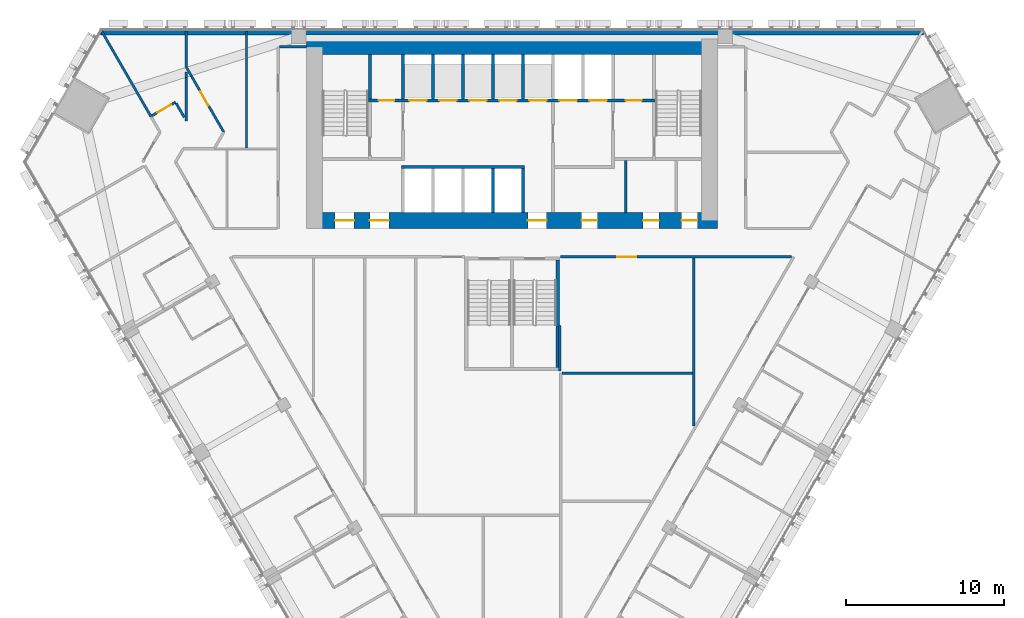
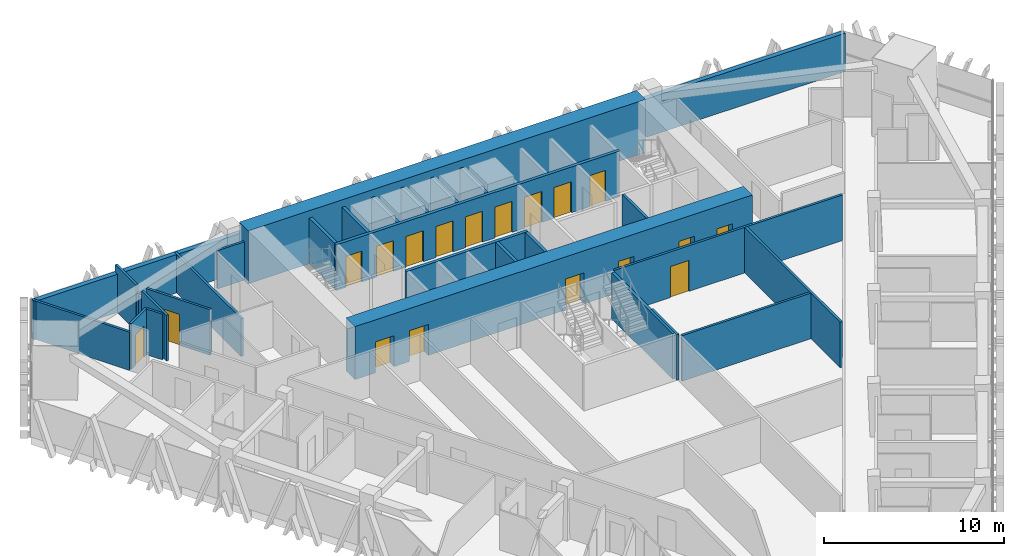
# One storey, part 13 of 18: 29 walls, 18 doors, 18 openings.
"""IFC4 building model written with IfcOpenShell, lengths in metres."""

from ifc_helpers import new_model, si_unit, direction, frame, frame_2d, origin, place, context, subcontext, project, spatial, rectangle, extrude, material, layer, layer_set, type_object, element, fill, save


model = new_model("IFC4")

# Units and contexts
model_context = context("Model", 3, precision=1e-05, world=origin(), true_north=direction((0.0, 1.0)))
body_context = subcontext(model_context, "Body", "Model", "MODEL_VIEW")
ifc_project = project(units=[si_unit("LENGTHUNIT", "METRE"), si_unit("AREAUNIT", "SQUARE_METRE"), si_unit("VOLUMEUNIT", "CUBIC_METRE"), si_unit("PLANEANGLEUNIT", "RADIAN"), si_unit("MASSUNIT", "GRAM", prefix="KILO")], contexts=[model_context])

# Site, building, storey
site_placement = place(None, origin())
site = spatial("IfcSite", under=ifc_project, at=site_placement, CompositionType="ELEMENT")
building_placement = place(site_placement, origin())
building = spatial("IfcBuilding", under=site, at=building_placement, Name="Altiplano Prism Tower", CompositionType="ELEMENT")
storey_placement = place(building_placement, frame((0.0, 0.0, 41.39990234375)))
storey = spatial("IfcBuildingStorey", under=building, at=storey_placement, Name="L09", CompositionType="ELEMENT", Elevation=41.39990234375)

# Wall, openings, doors
ifc_material_1 = material(Name="Concrete C70/85", Category="concrete")
ifc_layer_1 = layer(ifc_material_1, 1.0)
ifc_layer_set_1 = layer_set([ifc_layer_1], Name="Concrete C70/85")
wall_type_1 = type_object("IfcWallType", Name="Core wall 1000", PredefinedType="SHEAR", material=ifc_layer_set_1)
wall_1_placement = place(storey_placement, frame((72.5, 92.89990234375, 0.0), z_axis=(0.0, 0.0, 1.0), x_axis=(1.0, 0.0, 0.0)))
wall_1 = element("IfcWall", 1, at=wall_1_placement, inside=storey, type_object=wall_type_1, Name="Core wall S L09", PredefinedType="SHEAR", context=body_context, shape_type="SweptSolid", body=[
    extrude(rectangle(XDim=25.5, YDim=1.0, at=frame_2d((12.75, 0.0))), origin(), (0.0, 0.0, 1.0), 3.60009765625),
])
opening_1_placement = place(wall_1_placement, frame((1.300048828125, 0.0, 0.0)))
opening_1 = element("IfcOpeningElement", 2, at=opening_1_placement, cuts=wall_1, Name="Opening D2712", PredefinedType="OPENING", context=body_context, shape_type="SweptSolid", body=[
    extrude(rectangle(XDim=1.199951171875, YDim=2.10009765625, at=frame_2d((0.60009765625, 1.050048828125))), frame((0.0, 0.510498046875, 0.0), z_axis=(0.0, -1.0, 0.0), x_axis=(1.0, 0.0, 0.0)), (0.0, 0.0, 1.0), 1.02099609375),
])
opening_2_placement = place(wall_1_placement, frame((3.5, 0.0, 0.0)))
opening_2 = element("IfcOpeningElement", 3, at=opening_2_placement, cuts=wall_1, Name="Opening D2713", PredefinedType="OPENING", context=body_context, shape_type="SweptSolid", body=[
    extrude(rectangle(XDim=1.199951171875, YDim=2.10009765625, at=frame_2d((0.60009765625, 1.050048828125))), frame((0.0, 0.510498046875, 0.0), z_axis=(0.0, -1.0, 0.0), x_axis=(1.0, 0.0, 0.0)), (0.0, 0.0, 1.0), 1.02099609375),
])
opening_3_placement = place(wall_1_placement, frame((13.5, 0.0, 0.0)))
opening_3 = element("IfcOpeningElement", 4, at=opening_3_placement, cuts=wall_1, Name="Opening D2714", PredefinedType="OPENING", context=body_context, shape_type="SweptSolid", body=[
    extrude(rectangle(XDim=1.199951171875, YDim=2.10009765625, at=frame_2d((0.60009765625, 1.050048828125))), frame((0.0, 0.510498046875, 0.0), z_axis=(0.0, -1.0, 0.0), x_axis=(1.0, 0.0, 0.0)), (0.0, 0.0, 1.0), 1.02099609375),
])
opening_4_placement = place(wall_1_placement, frame((16.91259765625, 0.0, 0.0)))
opening_4 = element("IfcOpeningElement", 5, at=opening_4_placement, cuts=wall_1, Name="Opening D2717", PredefinedType="OPENING", context=body_context, shape_type="SweptSolid", body=[
    extrude(rectangle(XDim=1.0, YDim=2.10009765625, at=frame_2d((0.5, 1.050048828125))), frame((0.0, 0.510498046875, 0.0), z_axis=(0.0, -1.0, 0.0), x_axis=(1.0, 0.0, 0.0)), (0.0, 0.0, 1.0), 1.02099609375),
])
opening_5_placement = place(wall_1_placement, frame((20.800048828125, 0.0, 0.0)))
opening_5 = element("IfcOpeningElement", 6, at=opening_5_placement, cuts=wall_1, Name="Opening D2718", PredefinedType="OPENING", context=body_context, shape_type="SweptSolid", body=[
    extrude(rectangle(XDim=1.0, YDim=2.10009765625, at=frame_2d((0.5, 1.050048828125))), frame((0.0, 0.510498046875, 0.0), z_axis=(0.0, -1.0, 0.0), x_axis=(1.0, 0.0, 0.0)), (0.0, 0.0, 1.0), 1.02099609375),
])
opening_6_placement = place(wall_1_placement, frame((23.237548828125, 0.0, 0.0)))
opening_6 = element("IfcOpeningElement", 7, at=opening_6_placement, cuts=wall_1, Name="Opening D2719", PredefinedType="OPENING", context=body_context, shape_type="SweptSolid", body=[
    extrude(rectangle(XDim=1.0, YDim=2.10009765625, at=frame_2d((0.5, 1.050048828125))), frame((0.0, 0.510498046875, 0.0), z_axis=(0.0, -1.0, 0.0), x_axis=(1.0, 0.0, 0.0)), (0.0, 0.0, 1.0), 1.02099609375),
])
ifc_material_2 = material(Name="Fire-rated steel door", Category="steel")
door_type_1 = type_object("IfcDoorType", Name="Core room door 1000 x 2100", OperationType="NOTDEFINED", PredefinedType="NOTDEFINED", material=ifc_material_2)
door_1_placement = place(opening_4_placement, origin())
door_1 = element("IfcDoor", 8, at=door_1_placement, inside=storey, type_object=door_type_1, Name="Core room door D2717", OperationType="SINGLE_SWING_RIGHT", OverallHeight=2.10009765625, OverallWidth=1.0, PredefinedType="NOTDEFINED", context=body_context, shape_type="SweptSolid", body=[
    extrude(rectangle(XDim=1.0, YDim=2.10009765625, at=frame_2d((0.5, 1.050048828125))), frame((0.0, 0.02490234375, 0.0), z_axis=(0.0, -1.0, 0.0), x_axis=(1.0, 0.0, 0.0)), (0.0, 0.0, 1.0), 0.050048828125),
])
fill(opening_4, door_1)
door_2_placement = place(opening_5_placement, origin())
door_2 = element("IfcDoor", 9, at=door_2_placement, inside=storey, type_object=door_type_1, Name="Core room door D2718", OperationType="SINGLE_SWING_LEFT", OverallHeight=2.10009765625, OverallWidth=1.0, PredefinedType="NOTDEFINED", context=body_context, shape_type="SweptSolid", body=[
    extrude(rectangle(XDim=1.0, YDim=2.10009765625, at=frame_2d((0.5, 1.050048828125))), frame((0.0, 0.02490234375, 0.0), z_axis=(0.0, -1.0, 0.0), x_axis=(1.0, 0.0, 0.0)), (0.0, 0.0, 1.0), 0.050048828125),
])
fill(opening_5, door_2)
door_3_placement = place(opening_6_placement, origin())
door_3 = element("IfcDoor", 10, at=door_3_placement, inside=storey, type_object=door_type_1, Name="Core room door D2719", OperationType="SINGLE_SWING_RIGHT", OverallHeight=2.10009765625, OverallWidth=1.0, PredefinedType="NOTDEFINED", context=body_context, shape_type="SweptSolid", body=[
    extrude(rectangle(XDim=1.0, YDim=2.10009765625, at=frame_2d((0.5, 1.050048828125))), frame((0.0, 0.02490234375, 0.0), z_axis=(0.0, -1.0, 0.0), x_axis=(1.0, 0.0, 0.0)), (0.0, 0.0, 1.0), 0.050048828125),
])
fill(opening_6, door_3)
door_type_2 = type_object("IfcDoorType", Name="Lobby fire door 1200 x 2100", OperationType="NOTDEFINED", PredefinedType="NOTDEFINED", material=ifc_material_2)
door_4_placement = place(opening_1_placement, origin())
door_4 = element("IfcDoor", 11, at=door_4_placement, inside=storey, type_object=door_type_2, Name="Lobby fire door D2712", OperationType="SINGLE_SWING_RIGHT", OverallHeight=2.10009765625, OverallWidth=1.199951171875, PredefinedType="NOTDEFINED", context=body_context, shape_type="SweptSolid", body=[
    extrude(rectangle(XDim=1.199951171875, YDim=2.10009765625, at=frame_2d((0.60009765625, 1.050048828125))), frame((0.0, 0.02490234375, 0.0), z_axis=(0.0, -1.0, 0.0), x_axis=(1.0, 0.0, 0.0)), (0.0, 0.0, 1.0), 0.050048828125),
])
fill(opening_1, door_4)
door_5_placement = place(opening_2_placement, origin())
door_5 = element("IfcDoor", 12, at=door_5_placement, inside=storey, type_object=door_type_2, Name="Lobby fire door D2713", OperationType="SINGLE_SWING_LEFT", OverallHeight=2.10009765625, OverallWidth=1.199951171875, PredefinedType="NOTDEFINED", context=body_context, shape_type="SweptSolid", body=[
    extrude(rectangle(XDim=1.199951171875, YDim=2.10009765625, at=frame_2d((0.60009765625, 1.050048828125))), frame((0.0, 0.02490234375, 0.0), z_axis=(0.0, -1.0, 0.0), x_axis=(1.0, 0.0, 0.0)), (0.0, 0.0, 1.0), 0.050048828125),
])
fill(opening_2, door_5)
door_6_placement = place(opening_3_placement, origin())
door_6 = element("IfcDoor", 13, at=door_6_placement, inside=storey, type_object=door_type_2, Name="Lobby fire door D2714", OperationType="SINGLE_SWING_RIGHT", OverallHeight=2.10009765625, OverallWidth=1.199951171875, PredefinedType="NOTDEFINED", context=body_context, shape_type="SweptSolid", body=[
    extrude(rectangle(XDim=1.199951171875, YDim=2.10009765625, at=frame_2d((0.60009765625, 1.050048828125))), frame((0.0, 0.02490234375, 0.0), z_axis=(0.0, -1.0, 0.0), x_axis=(1.0, 0.0, 0.0)), (0.0, 0.0, 1.0), 0.050048828125),
])
fill(opening_3, door_6)

# Walls
wall_2_placement = place(storey_placement, frame((97.5, 103.89990234375, 0.0), z_axis=(0.0, 0.0, 1.0), x_axis=(-1.0, 0.0, 0.0)))
element("IfcWall", 14, at=wall_2_placement, inside=storey, type_object=wall_type_1, Name="Core wall N L09", PredefinedType="SHEAR", context=body_context, shape_type="SweptSolid", body=[
    extrude(rectangle(XDim=25.5, YDim=1.0, at=frame_2d((12.75, 0.0))), origin(), (0.0, 0.0, 1.0), 3.60009765625),
])
ifc_material_3 = material(Name="Plasterboard on steel stud", Category="steel")
ifc_layer_2 = layer(ifc_material_3, 0.14990234375)
ifc_layer_set_2 = layer_set([ifc_layer_2], Name="Plasterboard on steel stud")
wall_type_2 = type_object("IfcWallType", Name="Partition 150 corridor", PredefinedType="PARTITIONING", material=ifc_layer_set_2)
wall_3_placement = place(storey_placement, frame((72.0, 103.89990234375, 0.0), z_axis=(0.0, 0.0, 1.0), x_axis=(-1.0, 0.0, 0.0)))
element("IfcWall", 15, at=wall_3_placement, inside=storey, type_object=wall_type_2, Name="Partition P06 L09 005", PredefinedType="PARTITIONING", context=body_context, shape_type="SweptSolid", body=[
    extrude(rectangle(XDim=1.72509765625, YDim=0.14990234375, at=frame_2d((0.862548828125, 0.0))), origin(), (0.0, 0.0, 1.0), 2.60009765625),
])
wall_4_placement = place(storey_placement, frame((64.38623046875, 102.320068359375, 0.0), z_axis=(0.0, 0.0, 1.0), x_axis=(0.0, -1.0, 0.0)))
element("IfcWall", 16, at=wall_4_placement, inside=storey, type_object=wall_type_2, Name="Partition P06 L09 007", PredefinedType="PARTITIONING", context=body_context, shape_type="SweptSolid", body=[
    extrude(rectangle(XDim=0.36572265625, YDim=0.14990234375, at=frame_2d((0.182861328125, 0.0))), origin(), (0.0, 0.0, 1.0), 2.60009765625),
])
wall_5_placement = place(storey_placement, frame((64.38623046875, 101.954345703125, 0.0), z_axis=(0.0, 0.0, 1.0), x_axis=(0.0, -1.0, 0.0)))
element("IfcWall", 17, at=wall_5_placement, inside=storey, type_object=wall_type_2, Name="Partition P06 L09 008", PredefinedType="PARTITIONING", context=body_context, shape_type="SweptSolid", body=[
    extrude(rectangle(XDim=2.75439453125, YDim=0.14990234375, at=frame_2d((1.377197265625, 0.0))), origin(), (0.0, 0.0, 1.0), 3.10009765625),
])
wall_6_placement = place(storey_placement, frame((64.24609375, 99.4423828125, 0.0), z_axis=(0.0, 0.0, 1.0), x_axis=(-0.500036847806, 0.866004128649, 0.0)))
element("IfcWall", 18, at=wall_6_placement, inside=storey, type_object=wall_type_2, Name="Partition P06 L09 009", PredefinedType="PARTITIONING", context=body_context, shape_type="SweptSolid", body=[
    extrude(rectangle(XDim=1.03076171875, YDim=0.14990234375, at=frame_2d((0.515380859375, 0.0))), origin(), (0.0, 0.0, 1.0), 3.10009765625),
])

# Wall, opening, door
wall_7_placement = place(storey_placement, frame((63.693359375, 100.39990234375, 0.0), z_axis=(0.0, 0.0, 1.0), x_axis=(-0.866074815912, -0.499914405916, 0.0)))
wall_7 = element("IfcWall", 19, at=wall_7_placement, inside=storey, type_object=wall_type_2, Name="Partition P06 L09 010", PredefinedType="PARTITIONING", context=body_context, shape_type="SweptSolid", body=[
    extrude(rectangle(XDim=1.724853515625, YDim=0.14990234375, at=frame_2d((0.8623046875, 0.0))), origin(), (0.0, 0.0, 1.0), 3.10009765625),
])
opening_7_placement = place(wall_7_placement, frame((0.31689453125, 0.0, 0.0)))
opening_7 = element("IfcOpeningElement", 20, at=opening_7_placement, cuts=wall_7, Name="Opening D0326", PredefinedType="OPENING", context=body_context, shape_type="SweptSolid", body=[
    extrude(rectangle(XDim=1.0, YDim=2.10009765625, at=frame_2d((0.5, 1.050048828125))), frame((0.0, 0.08544921875, 0.0), z_axis=(0.0, -1.0, 0.0), x_axis=(1.0, 0.0, 0.0)), (0.0, 0.0, 1.0), 0.1708984375),
])
ifc_material_4 = material(Name="Timber", Category="wood")
door_type_3 = type_object("IfcDoorType", Name="Store door 1000 x 2100", OperationType="NOTDEFINED", PredefinedType="NOTDEFINED", material=ifc_material_4)
door_7_placement = place(opening_7_placement, origin())
door_7 = element("IfcDoor", 21, at=door_7_placement, inside=storey, type_object=door_type_3, Name="Door D0326", OperationType="SINGLE_SWING_LEFT", OverallHeight=2.10009765625, OverallWidth=1.0, PredefinedType="NOTDEFINED", context=body_context, shape_type="SweptSolid", body=[
    extrude(rectangle(XDim=1.0, YDim=2.10009765625, at=frame_2d((0.5, 1.050048828125))), frame((0.0, 0.02490234375, 0.0), z_axis=(0.0, -1.0, 0.0), x_axis=(1.0, 0.0, 0.0)), (0.0, 0.0, 1.0), 0.050048828125),
])
fill(opening_7, door_7)

wall_8_placement = place(storey_placement, frame((88.078857421875, 90.60009765625, 0.0), z_axis=(0.0, 0.0, 1.0), x_axis=(1.0, 0.0, 0.0)))
wall_8 = element("IfcWall", 22, at=wall_8_placement, inside=storey, type_object=wall_type_2, Name="Partition P06 L09 041", PredefinedType="PARTITIONING", context=body_context, shape_type="SweptSolid", body=[
    extrude(rectangle(XDim=14.62646484375, YDim=0.14990234375, at=frame_2d((7.313232421875, 0.0))), origin(), (0.0, 0.0, 1.0), 3.10009765625),
])
opening_8_placement = place(wall_8_placement, frame((3.5810546875, 0.0, 0.0)))
opening_8 = element("IfcOpeningElement", 23, at=opening_8_placement, cuts=wall_8, Name="Opening D0362", PredefinedType="OPENING", context=body_context, shape_type="SweptSolid", body=[
    extrude(rectangle(XDim=1.199951171875, YDim=2.10009765625, at=frame_2d((0.60009765625, 1.050048828125))), frame((0.0, 0.08544921875, 0.0), z_axis=(0.0, -1.0, 0.0), x_axis=(1.0, 0.0, 0.0)), (0.0, 0.0, 1.0), 0.1708984375),
])
door_type_4 = type_object("IfcDoorType", Name="Shared room door 1200 x 2100", OperationType="NOTDEFINED", PredefinedType="NOTDEFINED", material=ifc_material_4)
door_8_placement = place(opening_8_placement, origin())
door_8 = element("IfcDoor", 24, at=door_8_placement, inside=storey, type_object=door_type_4, Name="Door D0362", OperationType="SINGLE_SWING_LEFT", OverallHeight=2.10009765625, OverallWidth=1.199951171875, PredefinedType="NOTDEFINED", context=body_context, shape_type="SweptSolid", body=[
    extrude(rectangle(XDim=1.199951171875, YDim=2.10009765625, at=frame_2d((0.60009765625, 1.050048828125))), frame((0.0, 0.02490234375, 0.0), z_axis=(0.0, -1.0, 0.0), x_axis=(1.0, 0.0, 0.0)), (0.0, 0.0, 1.0), 0.050048828125),
])
fill(opening_8, door_8)

wall_9_placement = place(storey_placement, frame((66.753173828125, 98.5, 0.0), z_axis=(0.0, 0.0, 1.0), x_axis=(-0.500015945769, 0.866016197294, 0.0)))
wall_9 = element("IfcWall", 25, at=wall_9_placement, inside=storey, type_object=wall_type_2, Name="Partition P06 L09 045", PredefinedType="PARTITIONING", context=body_context, shape_type="SweptSolid", body=[
    extrude(rectangle(XDim=4.104248046875, YDim=0.14990234375, at=frame_2d((2.05224609375, 0.0))), origin(), (0.0, 0.0, 1.0), 3.10009765625),
])
opening_9_placement = place(wall_9_placement, frame((1.9609375, 0.0, 0.0)))
opening_9 = element("IfcOpeningElement", 26, at=opening_9_placement, cuts=wall_9, Name="Opening D0369", PredefinedType="OPENING", context=body_context, shape_type="SweptSolid", body=[
    extrude(rectangle(XDim=1.0, YDim=2.10009765625, at=frame_2d((0.5, 1.050048828125))), frame((0.0, 0.08544921875, 0.0), z_axis=(0.0, -1.0, 0.0), x_axis=(1.0, 0.0, 0.0)), (0.0, 0.0, 1.0), 0.1708984375),
])
door_type_5 = type_object("IfcDoorType", Name="Room door 1000 x 2100", OperationType="NOTDEFINED", PredefinedType="NOTDEFINED", material=ifc_material_4)
door_9_placement = place(opening_9_placement, origin())
door_9 = element("IfcDoor", 27, at=door_9_placement, inside=storey, type_object=door_type_5, Name="Door D0369", OperationType="SINGLE_SWING_LEFT", OverallHeight=2.10009765625, OverallWidth=1.0, PredefinedType="NOTDEFINED", context=body_context, shape_type="SweptSolid", body=[
    extrude(rectangle(XDim=1.0, YDim=2.10009765625, at=frame_2d((0.5, 1.050048828125))), frame((0.0, 0.02490234375, 0.0), z_axis=(0.0, -1.0, 0.0), x_axis=(1.0, 0.0, 0.0)), (0.0, 0.0, 1.0), 0.050048828125),
])
fill(opening_9, door_9)

# Walls
wall_10_placement = place(storey_placement, frame((64.700927734375, 102.054443359375, 0.0), z_axis=(0.0, 0.0, 1.0), x_axis=(-0.49976720595, 0.866159765781, 0.0)))
element("IfcWall", 28, at=wall_10_placement, inside=storey, type_object=wall_type_2, Name="Partition P06 L09 046", PredefinedType="PARTITIONING", context=body_context, shape_type="SweptSolid", body=[
    extrude(rectangle(XDim=0.629638671875, YDim=0.14990234375, at=frame_2d((0.31494140625, 0.0))), origin(), (0.0, 0.0, 1.0), 2.60009765625),
])
ifc_layer_3 = layer(ifc_material_3, 0.14990234375)
ifc_layer_set_3 = layer_set([ifc_layer_3], Name="Plasterboard on steel stud")
wall_type_3 = type_object("IfcWallType", Name="Partition 150 party", PredefinedType="PARTITIONING", material=ifc_layer_set_3)
wall_11_placement = place(storey_placement, frame((68.193115234375, 104.89990234375, 0.0), z_axis=(0.0, 0.0, 1.0), x_axis=(0.0, -1.0, 0.0)))
element("IfcWall", 29, at=wall_11_placement, inside=storey, type_object=wall_type_3, Name="Partition P01 L09 052", PredefinedType="PARTITIONING", context=body_context, shape_type="SweptSolid", body=[
    extrude(rectangle(XDim=7.411376953125, YDim=0.14990234375, at=frame_2d((3.70556640625, 0.0))), origin(), (0.0, 0.0, 1.0), 2.60009765625),
])
wall_12_placement = place(storey_placement, frame((59.0166015625, 104.89990234375, 0.0), z_axis=(0.0, 0.0, 1.0), x_axis=(0.500005118993, -0.866022448312, 0.0)))
element("IfcWall", 30, at=wall_12_placement, inside=storey, type_object=wall_type_3, Name="Partition P01 L09 053", PredefinedType="PARTITIONING", context=body_context, shape_type="SweptSolid", body=[
    extrude(rectangle(XDim=6.25537109375, YDim=0.14990234375, at=frame_2d((3.127685546875, 0.0))), origin(), (0.0, 0.0, 1.0), 2.60009765625),
])
wall_13_placement = place(storey_placement, frame((64.38623046875, 102.599853515625, 0.0), z_axis=(0.0, 0.0, 1.0), x_axis=(0.0, 1.0, 0.0)))
element("IfcWall", 31, at=wall_13_placement, inside=storey, type_object=wall_type_3, Name="Partition P01 L09 054", PredefinedType="PARTITIONING", context=body_context, shape_type="SweptSolid", body=[
    extrude(rectangle(XDim=2.300048828125, YDim=0.14990234375, at=frame_2d((1.14990234375, 0.0))), origin(), (0.0, 0.0, 1.0), 3.10009765625),
])
wall_14_placement = place(storey_placement, frame((88.017333984375, 83.389404296875, 0.0), z_axis=(0.0, 0.0, 1.0), x_axis=(0.000597983833, 0.999999821208, 0.0)))
element("IfcWall", 32, at=wall_14_placement, inside=storey, type_object=wall_type_3, Name="Partition P01 L09 105", PredefinedType="PARTITIONING", context=body_context, shape_type="SweptSolid", body=[
    extrude(rectangle(XDim=2.85791015625, YDim=0.14990234375, at=frame_2d((1.428955078125, 0.0))), origin(), (0.0, 0.0, 1.0), 3.10009765625),
])
wall_15_placement = place(storey_placement, frame((96.42529296875, 83.239990234375, 0.0), z_axis=(0.0, 0.0, 1.0), x_axis=(-1.0, 0.0, 0.0)))
element("IfcWall", 33, at=wall_15_placement, inside=storey, type_object=wall_type_3, Name="Partition P01 L09 109", PredefinedType="PARTITIONING", context=body_context, shape_type="SweptSolid", body=[
    extrude(rectangle(XDim=8.26611328125, YDim=0.14990234375, at=frame_2d((4.133056640625, 0.0))), origin(), (0.0, 0.0, 1.0), 3.10009765625),
])
wall_16_placement = place(storey_placement, frame((96.500244140625, 79.9072265625, 0.0), z_axis=(0.0, 0.0, 1.0), x_axis=(0.0, 1.0, 0.0)))
element("IfcWall", 34, at=wall_16_placement, inside=storey, type_object=wall_type_3, Name="Partition P01 L09 111", PredefinedType="PARTITIONING", context=body_context, shape_type="SweptSolid", body=[
    extrude(rectangle(XDim=10.61767578125, YDim=0.14990234375, at=frame_2d((5.308837890625, 0.0))), origin(), (0.0, 0.0, 1.0), 3.10009765625),
])
ifc_material_5 = material(Name="Fire-rated gypsum board partition")
ifc_layer_4 = layer(ifc_material_5, 0.14990234375)
ifc_layer_set_4 = layer_set([ifc_layer_4], Name="Fire-rated gypsum board partition")
wall_type_4 = type_object("IfcWallType", Name="Room partition 150", PredefinedType="PARTITIONING", material=ifc_layer_set_4)
wall_17_placement = place(storey_placement, frame((92.199951171875, 93.39990234375, 0.0), z_axis=(0.0, 0.0, 1.0), x_axis=(0.0, 1.0, 0.0)))
element("IfcWall", 35, at=wall_17_placement, inside=storey, type_object=wall_type_4, Name="Room partition L09", PredefinedType="PARTITIONING", context=body_context, shape_type="SweptSolid", body=[
    extrude(rectangle(XDim=3.300048828125, YDim=0.14990234375, at=frame_2d((1.64990234375, 0.0))), origin(), (0.0, 0.0, 1.0), 3.10009765625),
])
ifc_material_6 = material(Name="Concrete C60/75", Category="concrete")
ifc_layer_5 = layer(ifc_material_6, 0.199951171875)
ifc_layer_set_5 = layer_set([ifc_layer_5], Name="Concrete C60/75")
wall_type_5 = type_object("IfcWallType", Name="Shaft wall 200", PredefinedType="SOLIDWALL", material=ifc_layer_set_5)
for number, where, z_axis, x_axis, name in (
    (36, (83.800048828125, 93.39990234375, 0.0), (0.0, 0.0, 1.0), (0.0, 1.0, 0.0), "Shaft wall L09"),
    (37, (85.699951171875, 93.39990234375, 0.0), (0.0, 0.0, 1.0), (0.0, 1.0, 0.0), "Shaft wall L09"),
):
    element("IfcWall", number, at=place(storey_placement, frame(where, z_axis=z_axis, x_axis=x_axis)), inside=storey, type_object=wall_type_5, Name=name, PredefinedType="SOLIDWALL", context=body_context, shape_type="SweptSolid", body=[
        extrude(rectangle(XDim=2.800048828125, YDim=0.199951171875, at=frame_2d((1.39990234375, 0.0))), origin(), (0.0, 0.0, 1.0), 3.10009765625),
    ])
wall_18_placement = place(storey_placement, frame((78.0, 96.300048828125, 0.0), z_axis=(0.0, 0.0, 1.0), x_axis=(1.0, 0.0, 0.0)))
element("IfcWall", 38, at=wall_18_placement, inside=storey, type_object=wall_type_5, Name="Shaft wall L09", PredefinedType="SOLIDWALL", context=body_context, shape_type="SweptSolid", body=[
    extrude(rectangle(XDim=7.800048828125, YDim=0.199951171875, at=frame_2d((3.89990234375, 0.0))), origin(), (0.0, 0.0, 1.0), 3.10009765625),
])
for number, where, z_axis, x_axis, name in (
    (39, (78.10009765625, 100.60009765625, 0.0), (0.0, 0.0, 1.0), (0.0, 1.0, 0.0), "Shaft wall L09"),
    (40, (80.0, 100.60009765625, 0.0), (0.0, 0.0, 1.0), (0.0, 1.0, 0.0), "Shaft wall L09"),
    (41, (81.89990234375, 100.60009765625, 0.0), (0.0, 0.0, 1.0), (0.0, 1.0, 0.0), "Shaft wall L09"),
    (42, (83.800048828125, 100.60009765625, 0.0), (0.0, 0.0, 1.0), (0.0, 1.0, 0.0), "Shaft wall L09"),
    (43, (85.699951171875, 100.60009765625, 0.0), (0.0, 0.0, 1.0), (0.0, 1.0, 0.0), "Shaft wall L09"),
):
    element("IfcWall", number, at=place(storey_placement, frame(where, z_axis=z_axis, x_axis=x_axis)), inside=storey, type_object=wall_type_5, Name=name, PredefinedType="SOLIDWALL", context=body_context, shape_type="SweptSolid", body=[
        extrude(rectangle(XDim=2.7998046875, YDim=0.199951171875, at=frame_2d((1.39990234375, 0.0))), origin(), (0.0, 0.0, 1.0), 3.10009765625),
    ])

# Wall, openings, doors
ifc_layer_6 = layer(ifc_material_6, 0.199951171875)
ifc_layer_set_6 = layer_set([ifc_layer_6], Name="Concrete C60/75")
wall_type_6 = type_object("IfcWallType", Name="Stair wall 200", PredefinedType="SOLIDWALL", material=ifc_layer_set_6)
wall_19_placement = place(storey_placement, frame((75.89990234375, 100.5, 0.0), z_axis=(0.0, 0.0, 1.0), x_axis=(1.0, 0.0, 0.0)))
wall_19 = element("IfcWall", 44, at=wall_19_placement, inside=storey, type_object=wall_type_6, Name="Stair wall L09", PredefinedType="SOLIDWALL", context=body_context, shape_type="SweptSolid", body=[
    extrude(rectangle(XDim=18.2001953125, YDim=0.199951171875, at=frame_2d((9.10009765625, 0.0))), origin(), (0.0, 0.0, 1.0), 3.10009765625),
])
opening_10_placement = place(wall_19_placement, frame((2.60009765625, 0.0, 0.0)))
opening_10 = element("IfcOpeningElement", 45, at=opening_10_placement, cuts=wall_19, Name="Opening LD-LL1-L09", PredefinedType="OPENING", context=body_context, shape_type="SweptSolid", body=[
    extrude(rectangle(XDim=1.10009765625, YDim=2.10009765625, at=frame_2d((0.550048828125, 1.050048828125))), frame((0.0, 0.1103515625, 0.0), z_axis=(0.0, -1.0, 0.0), x_axis=(1.0, 0.0, 0.0)), (0.0, 0.0, 1.0), 0.220947265625),
])
opening_11_placement = place(wall_19_placement, frame((4.5, 0.0, 0.0)))
opening_11 = element("IfcOpeningElement", 46, at=opening_11_placement, cuts=wall_19, Name="Opening LD-LL2-L09", PredefinedType="OPENING", context=body_context, shape_type="SweptSolid", body=[
    extrude(rectangle(XDim=1.10009765625, YDim=2.10009765625, at=frame_2d((0.550048828125, 1.050048828125))), frame((0.0, 0.1103515625, 0.0), z_axis=(0.0, -1.0, 0.0), x_axis=(1.0, 0.0, 0.0)), (0.0, 0.0, 1.0), 0.220947265625),
])
opening_12_placement = place(wall_19_placement, frame((6.39990234375, 0.0, 0.0)))
opening_12 = element("IfcOpeningElement", 47, at=opening_12_placement, cuts=wall_19, Name="Opening LD-LL3-L09", PredefinedType="OPENING", context=body_context, shape_type="SweptSolid", body=[
    extrude(rectangle(XDim=1.10009765625, YDim=2.10009765625, at=frame_2d((0.550048828125, 1.050048828125))), frame((0.0, 0.1103515625, 0.0), z_axis=(0.0, -1.0, 0.0), x_axis=(1.0, 0.0, 0.0)), (0.0, 0.0, 1.0), 0.220947265625),
])
opening_13_placement = place(wall_19_placement, frame((8.300048828125, 0.0, 0.0)))
opening_13 = element("IfcOpeningElement", 48, at=opening_13_placement, cuts=wall_19, Name="Opening LD-LL4-L09", PredefinedType="OPENING", context=body_context, shape_type="SweptSolid", body=[
    extrude(rectangle(XDim=1.10009765625, YDim=2.10009765625, at=frame_2d((0.550048828125, 1.050048828125))), frame((0.0, 0.1103515625, 0.0), z_axis=(0.0, -1.0, 0.0), x_axis=(1.0, 0.0, 0.0)), (0.0, 0.0, 1.0), 0.220947265625),
])
opening_14_placement = place(wall_19_placement, frame((10.199951171875, 0.0, 0.0)))
opening_14 = element("IfcOpeningElement", 49, at=opening_14_placement, cuts=wall_19, Name="Opening LD-LL5-L09", PredefinedType="OPENING", context=body_context, shape_type="SweptSolid", body=[
    extrude(rectangle(XDim=1.10009765625, YDim=2.10009765625, at=frame_2d((0.550048828125, 1.050048828125))), frame((0.0, 0.1103515625, 0.0), z_axis=(0.0, -1.0, 0.0), x_axis=(1.0, 0.0, 0.0)), (0.0, 0.0, 1.0), 0.220947265625),
])
opening_15_placement = place(wall_19_placement, frame((12.10009765625, 0.0, 0.0)))
opening_15 = element("IfcOpeningElement", 50, at=opening_15_placement, cuts=wall_19, Name="Opening LD-FF1-L09", PredefinedType="OPENING", context=body_context, shape_type="SweptSolid", body=[
    extrude(rectangle(XDim=1.10009765625, YDim=2.10009765625, at=frame_2d((0.550048828125, 1.050048828125))), frame((0.0, 0.1103515625, 0.0), z_axis=(0.0, -1.0, 0.0), x_axis=(1.0, 0.0, 0.0)), (0.0, 0.0, 1.0), 0.220947265625),
])
opening_16_placement = place(wall_19_placement, frame((14.0, 0.0, 0.0)))
opening_16 = element("IfcOpeningElement", 51, at=opening_16_placement, cuts=wall_19, Name="Opening LD-FF2-L09", PredefinedType="OPENING", context=body_context, shape_type="SweptSolid", body=[
    extrude(rectangle(XDim=1.10009765625, YDim=2.10009765625, at=frame_2d((0.550048828125, 1.050048828125))), frame((0.0, 0.1103515625, 0.0), z_axis=(0.0, -1.0, 0.0), x_axis=(1.0, 0.0, 0.0)), (0.0, 0.0, 1.0), 0.220947265625),
])
opening_17_placement = place(wall_19_placement, frame((0.64990234375, 0.0, 0.0)))
opening_17 = element("IfcOpeningElement", 52, at=opening_17_placement, cuts=wall_19, Name="Opening D2715", PredefinedType="OPENING", context=body_context, shape_type="SweptSolid", body=[
    extrude(rectangle(XDim=1.0, YDim=2.10009765625, at=frame_2d((0.5, 1.050048828125))), frame((0.0, 0.1103515625, 0.0), z_axis=(0.0, -1.0, 0.0), x_axis=(1.0, 0.0, 0.0)), (0.0, 0.0, 1.0), 0.220947265625),
])
opening_18_placement = place(wall_19_placement, frame((16.300048828125, 0.0, 0.0)))
opening_18 = element("IfcOpeningElement", 53, at=opening_18_placement, cuts=wall_19, Name="Opening D2716", PredefinedType="OPENING", context=body_context, shape_type="SweptSolid", body=[
    extrude(rectangle(XDim=1.0, YDim=2.10009765625, at=frame_2d((0.5, 1.050048828125))), frame((0.0, 0.1103515625, 0.0), z_axis=(0.0, -1.0, 0.0), x_axis=(1.0, 0.0, 0.0)), (0.0, 0.0, 1.0), 0.220947265625),
])
door_10_placement = place(opening_17_placement, origin())
door_10 = element("IfcDoor", 54, at=door_10_placement, inside=storey, type_object=door_type_1, Name="Core room door D2715", OperationType="SINGLE_SWING_LEFT", OverallHeight=2.10009765625, OverallWidth=1.0, PredefinedType="NOTDEFINED", context=body_context, shape_type="SweptSolid", body=[
    extrude(rectangle(XDim=1.0, YDim=2.10009765625, at=frame_2d((0.5, 1.050048828125))), frame((0.0, 0.02490234375, 0.0), z_axis=(0.0, -1.0, 0.0), x_axis=(1.0, 0.0, 0.0)), (0.0, 0.0, 1.0), 0.050048828125),
])
fill(opening_17, door_10)
door_11_placement = place(opening_18_placement, origin())
door_11 = element("IfcDoor", 55, at=door_11_placement, inside=storey, type_object=door_type_1, Name="Core room door D2716", OperationType="SINGLE_SWING_RIGHT", OverallHeight=2.10009765625, OverallWidth=1.0, PredefinedType="NOTDEFINED", context=body_context, shape_type="SweptSolid", body=[
    extrude(rectangle(XDim=1.0, YDim=2.10009765625, at=frame_2d((0.5, 1.050048828125))), frame((0.0, 0.02490234375, 0.0), z_axis=(0.0, -1.0, 0.0), x_axis=(1.0, 0.0, 0.0)), (0.0, 0.0, 1.0), 0.050048828125),
])
fill(opening_18, door_11)
ifc_material_7 = material(Name="Stainless steel landing door", Category="steel")
door_type_6 = type_object("IfcDoorType", Name="Landing door 1100 x 2100", OperationType="NOTDEFINED", PredefinedType="NOTDEFINED", material=ifc_material_7)
door_12_placement = place(opening_10_placement, origin())
door_12 = element("IfcDoor", 56, at=door_12_placement, inside=storey, type_object=door_type_6, Name="Landing doors LL1", OperationType="SLIDING_TO_RIGHT", OverallHeight=2.10009765625, OverallWidth=1.10009765625, PredefinedType="NOTDEFINED", context=body_context, shape_type="SweptSolid", body=[
    extrude(rectangle(XDim=1.10009765625, YDim=2.10009765625, at=frame_2d((0.550048828125, 1.050048828125))), frame((0.0, 0.02490234375, 0.0), z_axis=(0.0, -1.0, 0.0), x_axis=(1.0, 0.0, 0.0)), (0.0, 0.0, 1.0), 0.050048828125),
])
fill(opening_10, door_12)
door_13_placement = place(opening_11_placement, origin())
door_13 = element("IfcDoor", 57, at=door_13_placement, inside=storey, type_object=door_type_6, Name="Landing doors LL2", OperationType="SLIDING_TO_LEFT", OverallHeight=2.10009765625, OverallWidth=1.10009765625, PredefinedType="NOTDEFINED", context=body_context, shape_type="SweptSolid", body=[
    extrude(rectangle(XDim=1.10009765625, YDim=2.10009765625, at=frame_2d((0.550048828125, 1.050048828125))), frame((0.0, 0.02490234375, 0.0), z_axis=(0.0, -1.0, 0.0), x_axis=(1.0, 0.0, 0.0)), (0.0, 0.0, 1.0), 0.050048828125),
])
fill(opening_11, door_13)
door_14_placement = place(opening_12_placement, origin())
door_14 = element("IfcDoor", 58, at=door_14_placement, inside=storey, type_object=door_type_6, Name="Landing doors LL3", OperationType="SLIDING_TO_RIGHT", OverallHeight=2.10009765625, OverallWidth=1.10009765625, PredefinedType="NOTDEFINED", context=body_context, shape_type="SweptSolid", body=[
    extrude(rectangle(XDim=1.10009765625, YDim=2.10009765625, at=frame_2d((0.550048828125, 1.050048828125))), frame((0.0, 0.02490234375, 0.0), z_axis=(0.0, -1.0, 0.0), x_axis=(1.0, 0.0, 0.0)), (0.0, 0.0, 1.0), 0.050048828125),
])
fill(opening_12, door_14)
door_15_placement = place(opening_13_placement, origin())
door_15 = element("IfcDoor", 59, at=door_15_placement, inside=storey, type_object=door_type_6, Name="Landing doors LL4", OperationType="SLIDING_TO_LEFT", OverallHeight=2.10009765625, OverallWidth=1.10009765625, PredefinedType="NOTDEFINED", context=body_context, shape_type="SweptSolid", body=[
    extrude(rectangle(XDim=1.10009765625, YDim=2.10009765625, at=frame_2d((0.550048828125, 1.050048828125))), frame((0.0, 0.02490234375, 0.0), z_axis=(0.0, -1.0, 0.0), x_axis=(1.0, 0.0, 0.0)), (0.0, 0.0, 1.0), 0.050048828125),
])
fill(opening_13, door_15)
door_16_placement = place(opening_14_placement, origin())
door_16 = element("IfcDoor", 60, at=door_16_placement, inside=storey, type_object=door_type_6, Name="Landing doors LL5", OperationType="SLIDING_TO_RIGHT", OverallHeight=2.10009765625, OverallWidth=1.10009765625, PredefinedType="NOTDEFINED", context=body_context, shape_type="SweptSolid", body=[
    extrude(rectangle(XDim=1.10009765625, YDim=2.10009765625, at=frame_2d((0.550048828125, 1.050048828125))), frame((0.0, 0.02490234375, 0.0), z_axis=(0.0, -1.0, 0.0), x_axis=(1.0, 0.0, 0.0)), (0.0, 0.0, 1.0), 0.050048828125),
])
fill(opening_14, door_16)
door_17_placement = place(opening_15_placement, origin())
door_17 = element("IfcDoor", 61, at=door_17_placement, inside=storey, type_object=door_type_6, Name="Landing doors FF1", OperationType="SLIDING_TO_RIGHT", OverallHeight=2.10009765625, OverallWidth=1.10009765625, PredefinedType="NOTDEFINED", context=body_context, shape_type="SweptSolid", body=[
    extrude(rectangle(XDim=1.10009765625, YDim=2.10009765625, at=frame_2d((0.550048828125, 1.050048828125))), frame((0.0, 0.02490234375, 0.0), z_axis=(0.0, -1.0, 0.0), x_axis=(1.0, 0.0, 0.0)), (0.0, 0.0, 1.0), 0.050048828125),
])
fill(opening_15, door_17)
door_18_placement = place(opening_16_placement, origin())
door_18 = element("IfcDoor", 62, at=door_18_placement, inside=storey, type_object=door_type_6, Name="Landing doors FF2", OperationType="SLIDING_TO_LEFT", OverallHeight=2.10009765625, OverallWidth=1.10009765625, PredefinedType="NOTDEFINED", context=body_context, shape_type="SweptSolid", body=[
    extrude(rectangle(XDim=1.10009765625, YDim=2.10009765625, at=frame_2d((0.550048828125, 1.050048828125))), frame((0.0, 0.02490234375, 0.0), z_axis=(0.0, -1.0, 0.0), x_axis=(1.0, 0.0, 0.0)), (0.0, 0.0, 1.0), 0.050048828125),
])
fill(opening_16, door_18)

# Walls
wall_20_placement = place(storey_placement, frame((76.0, 100.60009765625, 0.0), z_axis=(0.0, 0.0, 1.0), x_axis=(0.0, 1.0, 0.0)))
element("IfcWall", 63, at=wall_20_placement, inside=storey, type_object=wall_type_6, Name="Stair wall L09", PredefinedType="SOLIDWALL", context=body_context, shape_type="SweptSolid", body=[
    extrude(rectangle(XDim=2.7998046875, YDim=0.199951171875, at=frame_2d((1.39990234375, 0.0))), origin(), (0.0, 0.0, 1.0), 3.10009765625),
])
wall_21_placement = place(storey_placement, frame((87.89990234375, 83.60009765625, 0.0), z_axis=(0.0, 0.0, 1.0), x_axis=(0.0, 1.0, 0.0)))
element("IfcWall", 64, at=wall_21_placement, inside=storey, type_object=wall_type_6, Name="Stair 3 wall east L09", PredefinedType="SOLIDWALL", context=body_context, shape_type="SweptSolid", body=[
    extrude(rectangle(XDim=6.7998046875, YDim=0.199951171875, at=frame_2d((3.39990234375, 0.0))), origin(), (0.0, 0.0, 1.0), 3.10009765625),
])
ifc_material_8 = material(Name="Concrete C40", Category="concrete")
ifc_layer_7 = layer(ifc_material_8, 0.300048828125)
ifc_layer_set_7 = layer_set([ifc_layer_7], Name="Concrete C40")
wall_type_7 = type_object("IfcWallType", Name="Stone-clad external wall 300", PredefinedType="SOLIDWALL", material=ifc_layer_set_7)
wall_22_placement = place(storey_placement, frame((58.958984375, 104.7900390625, 0.0), z_axis=(0.0, 0.0, 1.0), x_axis=(1.0, 0.0, 0.0)))
element("IfcWall", 65, at=wall_22_placement, inside=storey, type_object=wall_type_7, Name="External wall north face L09", PredefinedType="SOLIDWALL", context=body_context, shape_type="SweptSolid", body=[
    extrude(rectangle(XDim=52.08203125, YDim=0.300048828125, at=frame_2d((26.041015625, 0.0))), origin(), (0.0, 0.0, 1.0), 2.60009765625),
])

save(model, "model.ifc")
